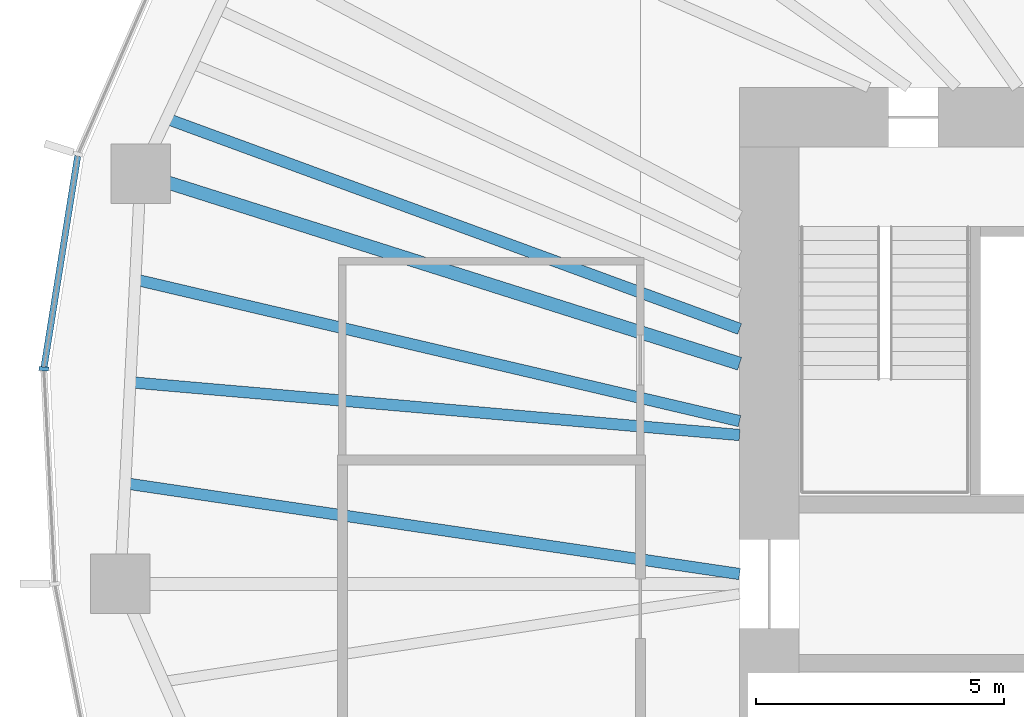
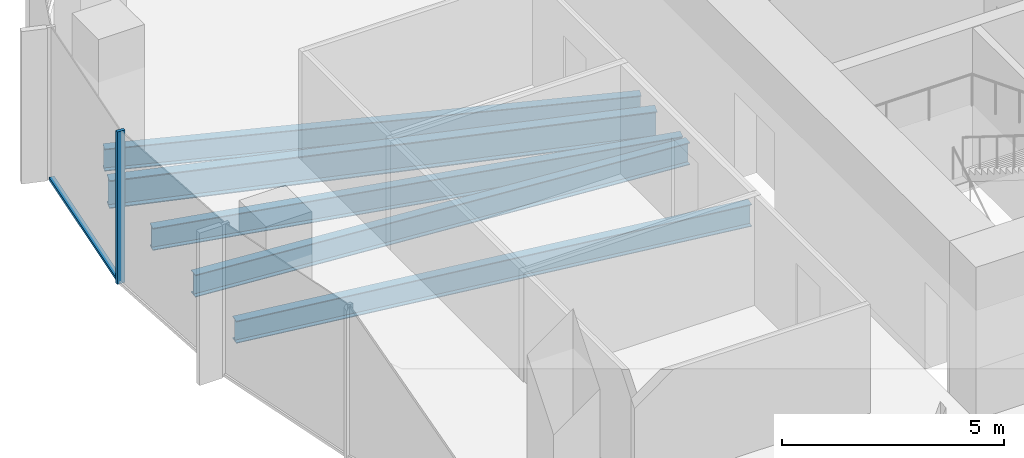
# One storey, part 3 of 11: 5 beams, 2 members, 1 element without a shape of its own.
"""IFC4 building model written with IfcOpenShell, lengths in metres."""

import ifcopenshell
import ifcopenshell.guid

model = None  # the IFC model being written
_history = None  # IfcOwnerHistory: only IFC2X3 demands one
_inside = {}  # id of a spatial element -> (the spatial element, [elements in it])
_under = {}  # id of a project, library or spatial element -> (it, [spatial elements below it])
_declared = {}  # id of a project -> (the project, [libraries it declares])
_typed = {}  # id of a type object -> (the type object, [elements of that type])
_made_of = {}  # id of a material, layer set ... -> (it, [elements and type objects made of it])


def new_model(schema):
    """Start an empty IFC model of exactly this schema.

    Asked for "IFC4X3", IfcOpenShell would pick the latest addendum, in which some entities
    have other attributes; the version numbers below select the first issue.
    IFC2X3 requires an IfcOwnerHistory on every rooted entity: one is made here for all.
    """
    global model, _history
    if schema == "IFC4X3":
        model = ifcopenshell.file(schema_version=(4, 3, 0, 0))
    else:
        model = ifcopenshell.file(schema=schema)
    _inside.clear()
    _under.clear()
    _declared.clear()
    _typed.clear()
    _made_of.clear()
    _history = None
    if model.schema == "IFC2X3":
        org = make("IfcOrganization", Name="unknown")
        user = make(
            "IfcPersonAndOrganization",
            ThePerson=make("IfcPerson", FamilyName="unknown"),
            TheOrganization=org,
        )
        app = make(
            "IfcApplication",
            ApplicationDeveloper=org,
            Version="unknown",
            ApplicationFullName="unknown",
            ApplicationIdentifier="unknown",
        )
        _history = make(
            "IfcOwnerHistory",
            OwningUser=user,
            OwningApplication=app,
            ChangeAction="ADDED",
            CreationDate=0,
        )
    return model


def make(cls, **values):
    """One entity of the class cls with the attributes given. An attribute that is None is left unset."""
    return model.create_entity(
        cls, **{name: value for name, value in values.items() if value is not None}
    )


def rooted(cls, **values):
    """An entity with a GlobalId (a new one), such as an element, a storey or a relation."""
    return make(cls, GlobalId=ifcopenshell.guid.new(), OwnerHistory=_history, **values)


def si_unit(unit_type, name, prefix=None):
    """IfcSIUnit, for example si_unit("LENGTHUNIT", "METRE", prefix="MILLI")."""
    return make("IfcSIUnit", UnitType=unit_type, Prefix=prefix, Name=name)


def assignment(units):
    """IfcUnitAssignment: the units of a project."""
    return None if units is None else make("IfcUnitAssignment", Units=units)


def point(xyz):
    """IfcCartesianPoint."""
    return None if xyz is None else make("IfcCartesianPoint", Coordinates=xyz)


def direction(xyz):
    """IfcDirection."""
    return None if xyz is None else make("IfcDirection", DirectionRatios=xyz)


def frame(location, z_axis=None, x_axis=None):
    """IfcAxis2Placement3D, a coordinate frame: its origin and axes. An axis left out is left unset."""
    return make(
        "IfcAxis2Placement3D",
        Location=point(location),
        Axis=direction(z_axis),
        RefDirection=direction(x_axis),
    )


def frame_2d(location, x_axis=None):
    """IfcAxis2Placement2D, a coordinate frame in the plane: its origin and x axis."""
    return make(
        "IfcAxis2Placement2D", Location=point(location), RefDirection=direction(x_axis)
    )


def origin():
    """The frame at (0, 0, 0) with its axes left unset."""
    return frame((0.0, 0.0, 0.0))


def origin_2d():
    """The frame at (0, 0) in the plane with its x axis left unset."""
    return frame_2d((0.0, 0.0))


def place(relative_to, where):
    """IfcLocalPlacement: puts the frame where relative to a parent placement (None: the world)."""
    return make(
        "IfcLocalPlacement", PlacementRelTo=relative_to, RelativePlacement=where
    )


def context(
    kind, dimensions, precision=None, world=None, true_north=None, identifier=None
):
    """IfcGeometricRepresentationContext, for example the 3D "Model" context."""
    return make(
        "IfcGeometricRepresentationContext",
        ContextIdentifier=identifier,
        ContextType=kind,
        CoordinateSpaceDimension=dimensions,
        Precision=precision,
        WorldCoordinateSystem=world,
        TrueNorth=true_north,
    )


def subcontext(parent, identifier, kind, view, scale=None):
    """IfcGeometricRepresentationSubContext, for example "Body" below "Model"."""
    return make(
        "IfcGeometricRepresentationSubContext",
        ContextIdentifier=identifier,
        ContextType=kind,
        ParentContext=parent,
        TargetScale=scale,
        TargetView=view,
    )


def project(units=None, contexts=None):
    """IfcProject with its units and contexts."""
    return rooted(
        "IfcProject",
        Name="project",
        RepresentationContexts=contexts,
        UnitsInContext=assignment(units),
    )


def spatial(cls, under=None, at=None, **own):
    """A site, building, storey or space (cls), placed at a placement, below another one or the project."""
    s = rooted(cls, ObjectPlacement=at, **own)
    if under is not None:
        _under.setdefault(under.id(), (under, []))[1].append(s)
    return s


def profile(cls, at=None, kind="AREA", **sizes):
    """A parametric profile (cls). Its sizes go by their IFC names, for example OverallWidth=200.0."""
    return make(cls, ProfileType=kind, Position=at, **sizes)


def rectangle(**sizes):
    """IfcRectangleProfileDef."""
    return profile("IfcRectangleProfileDef", **sizes)


def i_section(**sizes):
    """IfcIShapeProfileDef."""
    return profile("IfcIShapeProfileDef", **sizes)


def extrude(swept, where, along, depth):
    """IfcExtrudedAreaSolid: the profile swept, set in the frame where, extruded along a direction by depth."""
    return make(
        "IfcExtrudedAreaSolid",
        SweptArea=swept,
        Position=where,
        ExtrudedDirection=direction(along),
        Depth=depth,
    )


def shape(context_of_items, identifier, shape_type, items):
    """IfcShapeRepresentation: the items that make up one representation, for example the "Body"."""
    return make(
        "IfcShapeRepresentation",
        ContextOfItems=context_of_items,
        RepresentationIdentifier=identifier,
        RepresentationType=shape_type,
        Items=items,
    )


def material(Name=None, Category=None):
    """IfcMaterial."""
    return make("IfcMaterial", Name=Name, Category=Category)


def material_profile(
    of_material, cross_section, Name=None, Category=None, Priority=None
):
    """IfcMaterialProfile: a cross section and its material."""
    return make(
        "IfcMaterialProfile",
        Name=Name,
        Material=of_material,
        Profile=cross_section,
        Priority=Priority,
        Category=Category,
    )


def profile_set(profiles, Name=None, composite=None):
    """IfcMaterialProfileSet."""
    return make(
        "IfcMaterialProfileSet",
        Name=Name,
        MaterialProfiles=profiles,
        CompositeProfile=composite,
    )


def made_of(thing, what):
    """Note that an element or type object is made of a material, layer set ...; save() writes the relation."""
    if what is not None:
        _made_of.setdefault(what.id(), (what, []))[1].append(thing)
    return thing


def type_object(cls, material=None, **own):
    """A type object (cls), such as IfcWallType, which elements share."""
    return made_of(rooted(cls, **own), material)


def element(
    cls,
    number,
    at=None,
    inside=None,
    cuts=None,
    type_object=None,
    material=None,
    context=None,
    identifier="Body",
    shape_type=None,
    held_by="IfcProductDefinitionShape",
    body=None,
    shapes=None,
    **own,
):
    """One element of the class cls, such as IfcWall. Its Tag is "e" and its number.

    at: its placement. inside: the storey or other place that contains it. cuts: it is an
    opening in that element (IfcRelVoidsElement). A single representation is given by context,
    identifier, shape_type and body (its items); several are given by shapes. held_by: the class
    of the entity that holds the representations. save() writes the other relations.
    """
    e = rooted(cls, Tag="e%d" % number, ObjectPlacement=at, **own)
    if body is not None:
        shapes = [shape(context, identifier, shape_type, body)]
    if shapes is not None:
        e.Representation = make(held_by, Representations=shapes)
    if inside is not None:
        _inside.setdefault(inside.id(), (inside, []))[1].append(e)
    if cuts is not None:
        rooted(
            "IfcRelVoidsElement", RelatingBuildingElement=cuts, RelatedOpeningElement=e
        )
    if type_object is not None:
        _typed.setdefault(type_object.id(), (type_object, []))[1].append(e)
    return made_of(e, material)


def aggregate(whole, parts):
    """IfcRelAggregates: a whole, such as a stair, and the parts it consists of."""
    return rooted("IfcRelAggregates", RelatingObject=whole, RelatedObjects=parts)


def save(model, path):
    """Write the relations noted so far, then the file.

    IfcRelAggregates (storeys below a building ...), IfcRelContainedInSpatialStructure (elements
    in a storey), IfcRelDefinesByType, IfcRelAssociatesMaterial and IfcRelDeclares: one each for
    every whole, place, type object, material and project.
    """
    for whole, parts in _under.values():
        aggregate(whole, parts)
    for where, things in _inside.values():
        rooted(
            "IfcRelContainedInSpatialStructure",
            RelatedElements=things,
            RelatingStructure=where,
        )
    for kind, things in _typed.values():
        rooted("IfcRelDefinesByType", RelatedObjects=things, RelatingType=kind)
    for what, things in _made_of.values():
        rooted("IfcRelAssociatesMaterial", RelatedObjects=things, RelatingMaterial=what)
    for by, libraries in _declared.values():
        rooted("IfcRelDeclares", RelatingContext=by, RelatedDefinitions=libraries)
    model.write(path)


model = new_model("IFC4")

# Units and contexts
model_context = context("Model", 3, precision=1e-05, world=origin(), true_north=direction((0.0, 1.0)))
body_context = subcontext(model_context, "Body", "Model", "MODEL_VIEW")
ifc_project = project(units=[si_unit("LENGTHUNIT", "METRE"), si_unit("AREAUNIT", "SQUARE_METRE"), si_unit("VOLUMEUNIT", "CUBIC_METRE"), si_unit("PLANEANGLEUNIT", "RADIAN"), si_unit("MASSUNIT", "GRAM", prefix="KILO")], contexts=[model_context])

# Site, building, storey
site_placement = place(None, origin())
site = spatial("IfcSite", under=ifc_project, at=site_placement, CompositionType="ELEMENT")
building_placement = place(site_placement, origin())
building = spatial("IfcBuilding", under=site, at=building_placement, Name="Ghaith Harvest Tower", CompositionType="ELEMENT")
storey_placement = place(building_placement, frame((0.0, 0.0, 257.800048828125)))
storey = spatial("IfcBuildingStorey", under=building, at=storey_placement, Name="L57", CompositionType="ELEMENT", Elevation=257.800048828125)

# Curtain wall, members
ifc_material_1 = material(Name="Black anodised aluminium and fritted glass", Category="aluminium")
curtain_wall_type = type_object("IfcCurtainWallType", Name="CW-H CURTAIN WALL", PredefinedType="NOTDEFINED", material=ifc_material_1)
curtain_wall_placement = place(storey_placement, origin())
curtain_wall = element("IfcCurtainWall", 1, at=curtain_wall_placement, inside=storey, type_object=curtain_wall_type, Name="Curtain wall CW-H bay 10 L57", PredefinedType="NOTDEFINED")
ifc_material_2 = material(Name="Aluminium, black anodised", Category="aluminium")
ifc_material_profile_1 = material_profile(ifc_material_2, rectangle(XDim=0.080078125, YDim=0.199951171875, at=origin_2d()), Name="CW-H MULLION 80x200")
ifc_profile_set_1 = profile_set([ifc_material_profile_1], Name="Aluminium, black anodised")
member_type_1 = type_object("IfcMemberType", Name="CW-H MULLION 80x200", PredefinedType="MULLION", material=ifc_profile_set_1)
member_1_placement = place(storey_placement, frame((-28.015869140625, 4.333251953125, 0.0), z_axis=(0.0, 0.0, 1.0), x_axis=(-0.054116047044, -0.998534653105, 0.0)))
member_1 = element("IfcMember", 2, at=member_1_placement, type_object=member_type_1, Name="CW-H mullion 2 bay 10 L57", PredefinedType="MULLION", context=body_context, shape_type="SweptSolid", body=[
    extrude(rectangle(XDim=0.080078125, YDim=0.199951171875, at=origin_2d()), origin(), (0.0, 0.0, 1.0), 4.199951171875),
])
ifc_material_3 = material(Name="Aluminium, black anodised", Category="aluminium")
ifc_material_profile_2 = material_profile(ifc_material_3, rectangle(XDim=0.1298828125, YDim=0.080078125, at=origin_2d()), Name="CW-H TRANSOM 130x80")
ifc_profile_set_2 = profile_set([ifc_material_profile_2], Name="Aluminium, black anodised")
member_type_2 = type_object("IfcMemberType", Name="CW-H TRANSOM 130x80", PredefinedType="USERDEFINED", material=ifc_profile_set_2)
member_2_placement = place(storey_placement, frame((-27.33203125, 8.62060546875, 0.0400390625), z_axis=(-0.157492444441, -0.98752019217, 0.0), x_axis=(0.98752019217, -0.157492444441, 0.0)))
member_2 = element("IfcMember", 3, at=member_2_placement, type_object=member_type_2, Name="CW-H transom 1 bay 10 L57", ObjectType="TRANSOM", PredefinedType="USERDEFINED", context=body_context, shape_type="SweptSolid", body=[
    extrude(rectangle(XDim=0.1298828125, YDim=0.080078125, at=origin_2d()), origin(), (0.0, 0.0, 1.0), 4.3017578125),
])
aggregate(curtain_wall, [member_2, member_1])

# Beams
ifc_material_4 = material(Name="Steel ASTM A992 Grade 50", Category="steel")
ifc_material_profile_3 = material_profile(ifc_material_4, i_section(OverallWidth=0.26806640625, OverallDepth=0.77001953125, WebThickness=0.015625, FlangeThickness=0.025390625, at=origin_2d()), Name="W760X196")
ifc_profile_set_3 = profile_set([ifc_material_profile_3], Name="Steel ASTM A992 Grade 50")
beam_type_1 = type_object("IfcBeamType", Name="G760-196 W760X196", PredefinedType="BEAM", material=ifc_profile_set_3)
beam_1_placement = place(storey_placement, frame((-14.0, 4.43701171875, -0.554931640625), z_axis=(-0.953278738841, 0.302092115212, 0.0), x_axis=(-0.302092115212, -0.953278738841, 0.0)))
element("IfcBeam", 4, at=beam_1_placement, inside=storey, type_object=beam_type_1, Name="Radial girder G10 L57", PredefinedType="BEAM", context=body_context, shape_type="SweptSolid", body=[
    extrude(i_section(OverallWidth=0.26806640625, OverallDepth=0.77001953125, WebThickness=0.015625, FlangeThickness=0.025390625, at=origin_2d()), origin(), (0.0, 0.0, 1.0), 12.658203125),
])
ifc_material_5 = material(Name="Steel ASTM A992 Grade 50", Category="steel")
ifc_material_profile_4 = material_profile(ifc_material_5, i_section(OverallWidth=0.22900390625, OverallDepth=0.612060546875, WebThickness=0.011962890625, FlangeThickness=0.01953125, at=origin_2d()), Name="W610X125")
ifc_profile_set_4 = profile_set([ifc_material_profile_4], Name="Steel ASTM A992 Grade 50")
beam_type_2 = type_object("IfcBeamType", Name="J610-125 W610X125", PredefinedType="JOIST", material=ifc_profile_set_4)
beam_2_placement = place(storey_placement, frame((-14.0, 5.137939453125, -0.47607421875), z_axis=(-0.938775301049, 0.344530019216, 0.0), x_axis=(-0.344530019216, -0.938775301049, 0.0)))
element("IfcBeam", 5, at=beam_2_placement, inside=storey, type_object=beam_type_2, Name="Joist J09.3 L57", PredefinedType="JOIST", context=body_context, shape_type="SweptSolid", body=[
    extrude(i_section(OverallWidth=0.22900390625, OverallDepth=0.612060546875, WebThickness=0.011962890625, FlangeThickness=0.01953125, at=origin_2d()), origin(), (0.0, 0.0, 1.0), 12.295166015625),
])
beam_3_placement = place(storey_placement, frame((-14.0, 3.280517578125, -0.47607421875), z_axis=(-0.973621665777, 0.228168472691, 0.0), x_axis=(-0.228168472691, -0.973621665777, 0.0)))
element("IfcBeam", 6, at=beam_3_placement, inside=storey, type_object=beam_type_2, Name="Joist J10.1 L57", PredefinedType="JOIST", context=body_context, shape_type="SweptSolid", body=[
    extrude(i_section(OverallWidth=0.22900390625, OverallDepth=0.612060546875, WebThickness=0.011962890625, FlangeThickness=0.01953125, at=origin_2d()), origin(), (0.0, 0.0, 1.0), 12.501953125),
])
beam_4_placement = place(storey_placement, frame((-14.0, 3.0, -0.47607421875), z_axis=(-0.996265900996, 0.086338024716, 0.0), x_axis=(-0.086338024716, -0.996265900996, 0.0)))
element("IfcBeam", 7, at=beam_4_placement, inside=storey, type_object=beam_type_2, Name="Joist J10.2 L57", PredefinedType="JOIST", context=body_context, shape_type="SweptSolid", body=[
    extrude(i_section(OverallWidth=0.22900390625, OverallDepth=0.612060546875, WebThickness=0.011962890625, FlangeThickness=0.01953125, at=origin_2d()), origin(), (0.0, 0.0, 1.0), 12.3203125),
])
beam_5_placement = place(storey_placement, frame((-14.0, 0.199951171875, -0.47607421875), z_axis=(-0.989269378665, 0.146103033631, 0.0), x_axis=(-0.146103033631, -0.989269378665, 0.0)))
element("IfcBeam", 8, at=beam_5_placement, inside=storey, type_object=beam_type_2, Name="Joist J10.3 L57", PredefinedType="JOIST", context=body_context, shape_type="SweptSolid", body=[
    extrude(i_section(OverallWidth=0.22900390625, OverallDepth=0.612060546875, WebThickness=0.011962890625, FlangeThickness=0.01953125, at=origin_2d()), origin(), (0.0, 0.0, 1.0), 12.50927734375),
])

save(model, "model.ifc")
